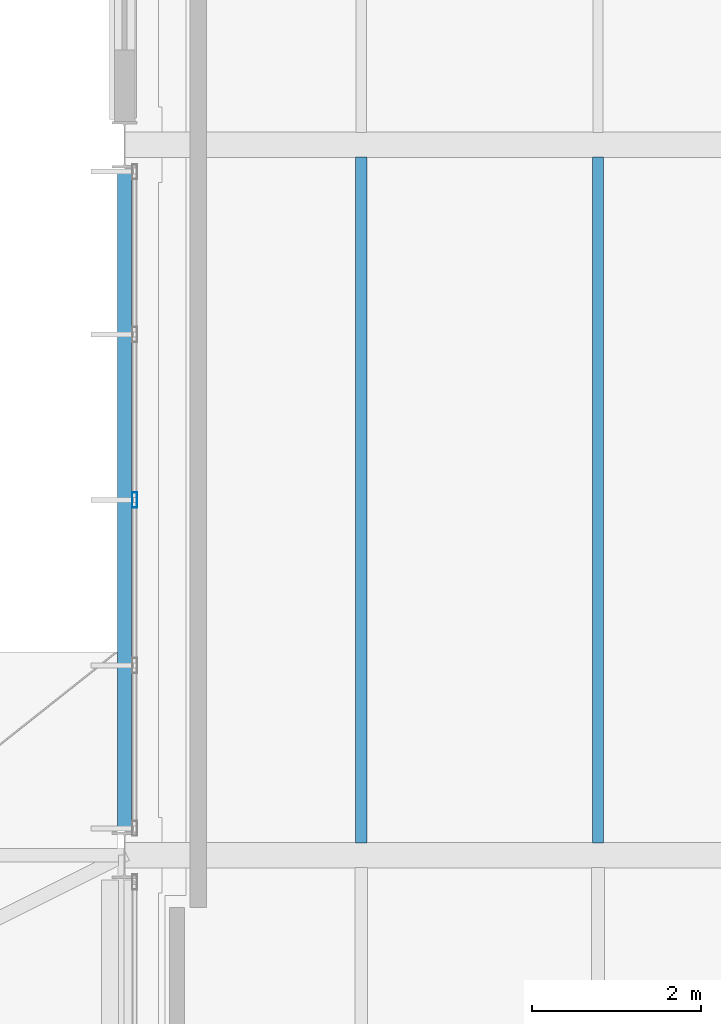
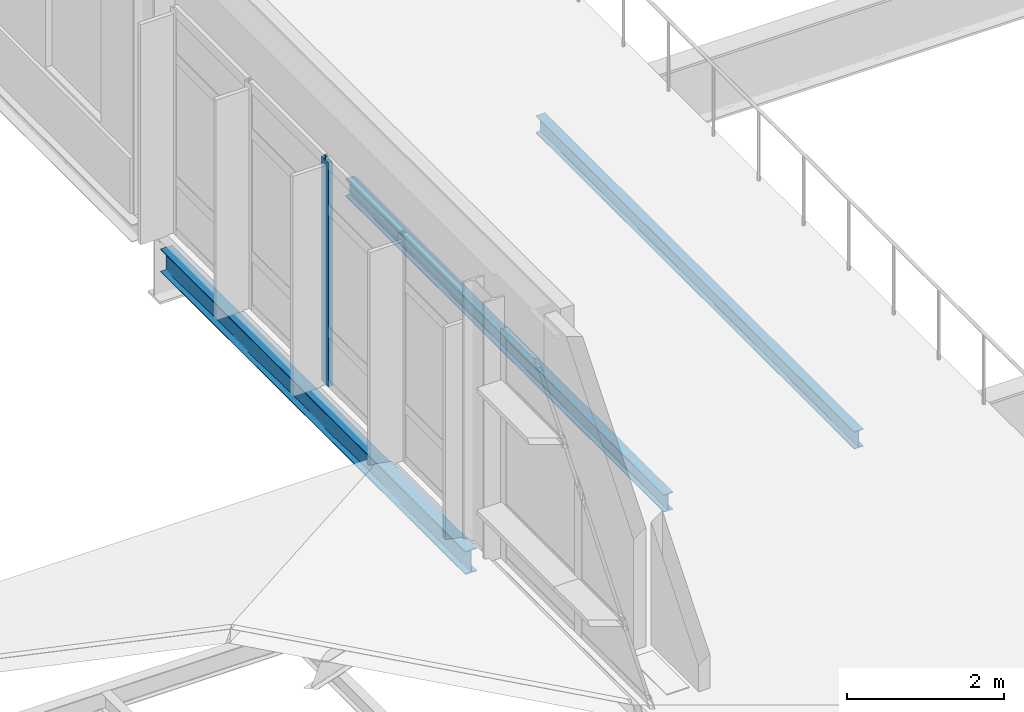
# One storey, part 26 of 151: 3 beams, 1 member, 1 element without a shape of its own.
"""IFC4 building model written with IfcOpenShell, lengths in metres."""

from ifc_helpers import new_model, si_unit, direction, frame, origin, origin_2d, place, context, subcontext, project, spatial, hollow_rectangle, i_section, extrude, material, material_profile, profile_set, type_object, element, aggregate, save


model = new_model("IFC4")

# Units and contexts
model_context = context("Model", 3, precision=1e-05, world=origin(), true_north=direction((0.0, 1.0)))
body_context = subcontext(model_context, "Body", "Model", "MODEL_VIEW")
ifc_project = project(units=[si_unit("LENGTHUNIT", "METRE"), si_unit("AREAUNIT", "SQUARE_METRE"), si_unit("VOLUMEUNIT", "CUBIC_METRE"), si_unit("PLANEANGLEUNIT", "RADIAN"), si_unit("MASSUNIT", "GRAM", prefix="KILO")], contexts=[model_context])

# Site, building, storey
site_placement = place(None, origin())
site = spatial("IfcSite", under=ifc_project, at=site_placement, CompositionType="ELEMENT")
building_placement = place(site_placement, origin())
building = spatial("IfcBuilding", under=site, at=building_placement, Name="Mersafa Astral City Hall", CompositionType="ELEMENT")
storey_placement = place(building_placement, frame((0.0, 0.0, 9.89990234375)))
storey = spatial("IfcBuildingStorey", under=building, at=storey_placement, Name="L02", CompositionType="ELEMENT", Elevation=9.89990234375)

# Curtain wall, member
ifc_material_1 = material(Name="Anodised bronze aluminium framing", Category="aluminium")
curtain_wall_type = type_object("IfcCurtainWallType", Name="ENV-CW-3", PredefinedType="USERDEFINED", material=ifc_material_1)
curtain_wall_placement = place(storey_placement, origin())
curtain_wall = element("IfcCurtainWall", 1, at=curtain_wall_placement, inside=storey, type_object=curtain_wall_type, Name="L02 Unitised solar curtain wall 146", ObjectType="UNITISED CURTAIN WALL", PredefinedType="USERDEFINED")
ifc_material_profile_1 = material_profile(ifc_material_1, hollow_rectangle(XDim=0.06005859375, YDim=0.179931640625, WallThickness=0.00390625, at=origin_2d()), Name="RHS 60x180x4")
ifc_profile_set_1 = profile_set([ifc_material_profile_1], Name="Anodised bronze aluminium framing")
member_type = type_object("IfcMemberType", Name="ENV-CW-MUL-1", PredefinedType="MULLION", material=ifc_profile_set_1)
member_placement = place(storey_placement, frame((92.52001953125, 63.0, -0.001953125), z_axis=(0.0, 0.0, 1.0), x_axis=(1.0, 0.0, 0.0)))
member = element("IfcMember", 2, at=member_placement, type_object=member_type, Name="CW-3 mullion 3", PredefinedType="MULLION", context=body_context, shape_type="SweptSolid", body=[
    extrude(hollow_rectangle(XDim=0.06005859375, YDim=0.179931640625, WallThickness=0.00390625, at=origin_2d()), origin(), (0.0, 0.0, 1.0), 3.489013671875),
])
aggregate(curtain_wall, [member])

# Beams
ifc_material_2 = material(Name="Steel S355", Category="steel")
ifc_material_profile_2 = material_profile(ifc_material_2, i_section(OverallWidth=0.135009765625, OverallDepth=0.27001953125, WebThickness=0.006591796875, FlangeThickness=0.01025390625, FilletRadius=0.014892578125, at=origin_2d()), Name="IPE 270")
ifc_profile_set_2 = profile_set([ifc_material_profile_2], Name="Steel S355")
beam_type_1 = type_object("IfcBeamType", Name="STR-BM-JOIST-IPE270", PredefinedType="JOIST", material=ifc_profile_set_2)
for number, where, z_axis, x_axis, name in (
    (3, (95.199951171875, 58.945068359375, -0.3349609375), (0.0, 1.0, 0.0), (-1.0, 0.0, 0.0), "L02 Composite secondary floor joist 442"),
    (4, (98.0, 58.945068359375, -0.3349609375), (0.0, 1.0, 0.0), (-1.0, 0.0, 0.0), "L02 Composite secondary floor joist 443"),
):
    element("IfcBeam", number, at=place(storey_placement, frame(where, z_axis=z_axis, x_axis=x_axis)), inside=storey, type_object=beam_type_1, Name=name, PredefinedType="JOIST", context=body_context, shape_type="SweptSolid", body=[
        extrude(i_section(OverallWidth=0.135009765625, OverallDepth=0.27001953125, WebThickness=0.006591796875, FlangeThickness=0.01025390625, FilletRadius=0.014892578125, at=origin_2d()), origin(), (0.0, 0.0, 1.0), 8.10986328125),
    ])
ifc_material_profile_3 = material_profile(ifc_material_2, i_section(OverallWidth=0.169921875, OverallDepth=0.360107421875, WebThickness=0.008056640625, FlangeThickness=0.0126953125, FilletRadius=0.01806640625, at=origin_2d()), Name="IPE 360")
ifc_profile_set_3 = profile_set([ifc_material_profile_3], Name="Steel S355")
beam_type_2 = type_object("IfcBeamType", Name="STR-BM-SPANDREL-IPE360", PredefinedType="SPANDREL", material=ifc_profile_set_3)
beam_placement = place(storey_placement, frame((92.39990234375, 59.1201171875, -0.3798828125), z_axis=(0.0, 1.0, 0.0), x_axis=(-1.0, 0.0, 0.0)))
element("IfcBeam", 5, at=beam_placement, inside=storey, type_object=beam_type_2, Name="L02 Primary girder Y 11-7", PredefinedType="SPANDREL", context=body_context, shape_type="SweptSolid", body=[
    extrude(i_section(OverallWidth=0.169921875, OverallDepth=0.360107421875, WebThickness=0.008056640625, FlangeThickness=0.0126953125, FilletRadius=0.01806640625, at=origin_2d()), origin(), (0.0, 0.0, 1.0), 7.759765625),
])

save(model, "model.ifc")
